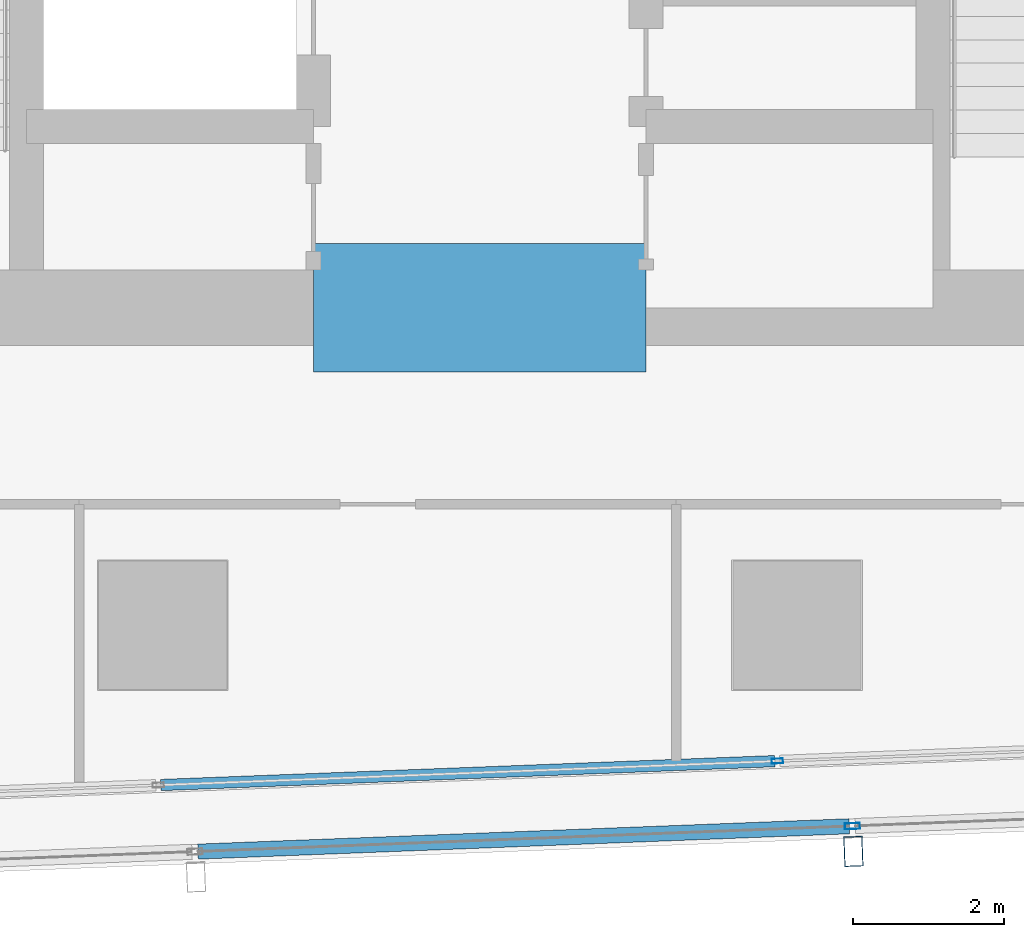
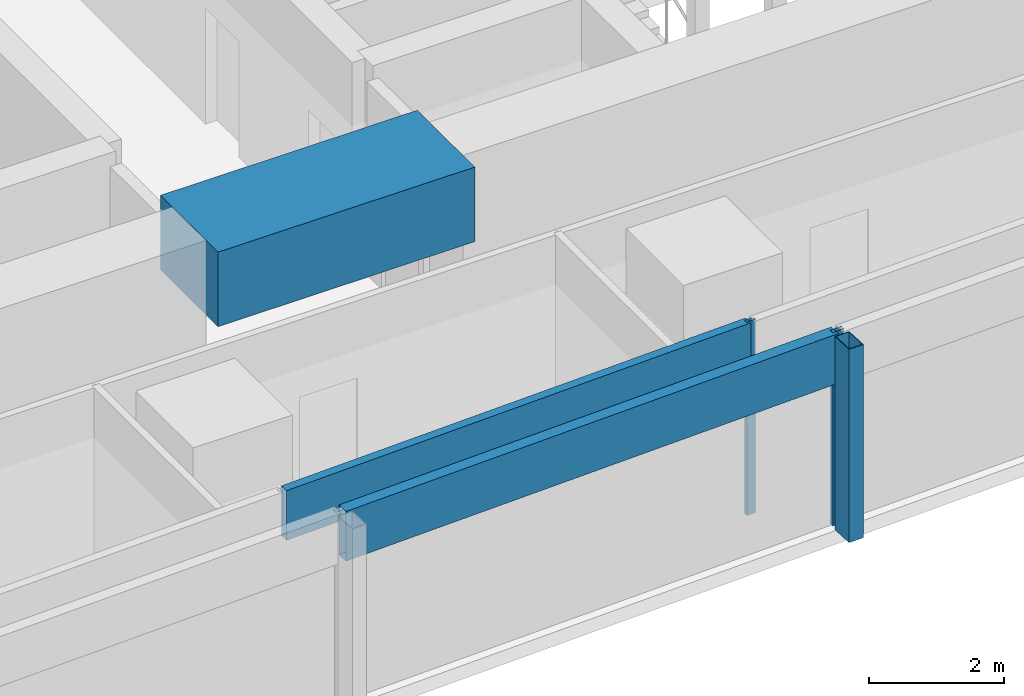
# One storey, part 9 of 40: 5 members, 1 beam, 2 elements without a shape of their own.
"""IFC4 building model written with IfcOpenShell, lengths in metres."""

from ifc_helpers import new_model, si_unit, direction, frame, origin, origin_2d, place, context, subcontext, project, spatial, rectangle, hollow_rectangle, extrude, material, material_profile, profile_set, type_object, element, aggregate, save


model = new_model("IFC4")

# Units and contexts
model_context = context("Model", 3, precision=1e-05, world=origin(), true_north=direction((0.0, 1.0)))
body_context = subcontext(model_context, "Body", "Model", "MODEL_VIEW")
ifc_project = project(units=[si_unit("LENGTHUNIT", "METRE"), si_unit("AREAUNIT", "SQUARE_METRE"), si_unit("VOLUMEUNIT", "CUBIC_METRE"), si_unit("PLANEANGLEUNIT", "RADIAN"), si_unit("MASSUNIT", "GRAM", prefix="KILO")], contexts=[model_context])

# Site, building, storey
site_placement = place(None, origin())
site = spatial("IfcSite", under=ifc_project, at=site_placement, CompositionType="ELEMENT")
building_placement = place(site_placement, origin())
building = spatial("IfcBuilding", under=site, at=building_placement, Name="Rekha Terrace Tower", CompositionType="ELEMENT")
storey_placement = place(building_placement, frame((0.0, 0.0, 129.050048828125)))
storey = spatial("IfcBuildingStorey", under=building, at=storey_placement, Name="L32", CompositionType="ELEMENT", Elevation=129.050048828125)

# Curtain wall, member
ifc_material_1 = material(Name="Aluminium framing", Category="aluminium")
curtain_wall_type_1 = type_object("IfcCurtainWallType", Name="CW2 double skin outer glazing", PredefinedType="USERDEFINED", material=ifc_material_1)
curtain_wall_1_placement = place(storey_placement, origin())
curtain_wall_1 = element("IfcCurtainWall", 1, at=curtain_wall_1_placement, inside=storey, type_object=curtain_wall_type_1, Name="CW2 double skin outer glazing", ObjectType="DOUBLE SKIN OUTER GLAZING", PredefinedType="USERDEFINED")
ifc_material_2 = material(Name="Steel S355 with fluorocarbon finish", Category="steel")
ifc_material_profile_1 = material_profile(ifc_material_2, hollow_rectangle(XDim=0.25, YDim=0.39990234375, WallThickness=0.012451171875, at=origin_2d()), Name="RHS400x250x12.5")
ifc_profile_set_1 = profile_set([ifc_material_profile_1], Name="Steel S355 with fluorocarbon finish")
member_type_1 = type_object("IfcMemberType", Name="BL1 facade blade RHS 400 x 250", PredefinedType="USERDEFINED", material=ifc_profile_set_1)
member_1_placement = place(storey_placement, frame((42.747314453125, 13.802978515625, 0.0), z_axis=(0.0, 0.0, 1.0), x_axis=(0.999243494356, 0.038890088543, 0.0)))
member_1 = element("IfcMember", 2, at=member_1_placement, type_object=member_type_1, Name="Facade blade", ObjectType="FACADE BLADE", PredefinedType="USERDEFINED", context=body_context, shape_type="SweptSolid", body=[
    extrude(hollow_rectangle(XDim=0.25, YDim=0.39990234375, WallThickness=0.012451171875, at=origin_2d()), origin(), (0.0, 0.0, 1.0), 3.5),
])

# Curtain wall, members
curtain_wall_type_2 = type_object("IfcCurtainWallType", Name="CW1 double skin inner glazing", PredefinedType="USERDEFINED", material=ifc_material_1)
curtain_wall_2_placement = place(storey_placement, origin())
curtain_wall_2 = element("IfcCurtainWall", 3, at=curtain_wall_2_placement, inside=storey, type_object=curtain_wall_type_2, Name="CW1 double skin inner glazing", ObjectType="DOUBLE SKIN INNER GLAZING", PredefinedType="USERDEFINED")
ifc_material_3 = material(Name="Aluminium mullion section", Category="aluminium")
ifc_material_profile_2 = material_profile(ifc_material_3, hollow_rectangle(XDim=0.06494140625, YDim=0.14990234375, WallThickness=0.00390625, at=origin_2d()), Name="AL RHS 65x150")
ifc_profile_set_2 = profile_set([ifc_material_profile_2], Name="Aluminium mullion section")
member_type_2 = type_object("IfcMemberType", Name="CW1 mullion RHS 65 x 150", PredefinedType="MULLION", material=ifc_profile_set_2)
member_2_placement = place(storey_placement, frame((41.740234375, 14.999755859375, 0.0), z_axis=(0.0, 0.0, 1.0), x_axis=(-0.038889971345, 0.999243498917, 0.0)))
member_2 = element("IfcMember", 4, at=member_2_placement, type_object=member_type_2, Name="CW1 mullion 3", PredefinedType="MULLION", context=body_context, shape_type="SweptSolid", body=[
    extrude(hollow_rectangle(XDim=0.06494140625, YDim=0.14990234375, WallThickness=0.00390625, at=origin_2d()), origin(), (0.0, 0.0, 1.0), 3.5),
])
ifc_material_4 = material(Name="Insulated aluminium spandrel box", Category="aluminium")
ifc_material_profile_3 = material_profile(ifc_material_4, hollow_rectangle(XDim=0.14990234375, YDim=0.89990234375, WallThickness=0.0029296875, at=origin_2d()), Name="AL SPANDREL BOX 150x900")
ifc_profile_set_3 = profile_set([ifc_material_profile_3], Name="Insulated aluminium spandrel box")
member_type_3 = type_object("IfcMemberType", Name="CW1 spandrel transom 150 x 900", PredefinedType="USERDEFINED", material=ifc_profile_set_3)
member_3_placement = place(storey_placement, frame((33.576416015625, 14.68212890625, 3.050048828125), z_axis=(0.999243790362, 0.038882482205, 0.0), x_axis=(-0.038882482205, 0.999243790362, 0.0)))
member_3 = element("IfcMember", 5, at=member_3_placement, type_object=member_type_3, Name="CW1 spandrel transom 2", ObjectType="TRANSOM", PredefinedType="USERDEFINED", context=body_context, shape_type="SweptSolid", body=[
    extrude(hollow_rectangle(XDim=0.14990234375, YDim=0.89990234375, WallThickness=0.0029296875, at=origin_2d()), origin(), (0.0, 0.0, 1.0), 8.137451171875),
])
aggregate(curtain_wall_2, [member_2, member_3])

# Member
ifc_material_profile_4 = material_profile(ifc_material_3, hollow_rectangle(XDim=0.080078125, YDim=0.199951171875, WallThickness=0.00390625, at=origin_2d()), Name="AL RHS 80x200")
ifc_profile_set_4 = profile_set([ifc_material_profile_4], Name="Aluminium mullion section")
member_type_4 = type_object("IfcMemberType", Name="CW2 mullion RHS 80 x 200", PredefinedType="MULLION", material=ifc_profile_set_4)
member_4_placement = place(storey_placement, frame((42.734130859375, 14.137939453125, 0.0), z_axis=(0.0, 0.0, 1.0), x_axis=(-0.038889971345, 0.999243498917, 0.0)))
member_4 = element("IfcMember", 6, at=member_4_placement, type_object=member_type_4, Name="CW2 mullion 3", PredefinedType="MULLION", context=body_context, shape_type="SweptSolid", body=[
    extrude(hollow_rectangle(XDim=0.080078125, YDim=0.199951171875, WallThickness=0.00390625, at=origin_2d()), origin(), (0.0, 0.0, 1.0), 3.5),
])

ifc_material_profile_5 = material_profile(ifc_material_4, hollow_rectangle(XDim=0.199951171875, YDim=0.89990234375, WallThickness=0.0029296875, at=origin_2d()), Name="AL SPANDREL BOX 200x900")
ifc_profile_set_5 = profile_set([ifc_material_profile_5], Name="Insulated aluminium spandrel box")
member_type_5 = type_object("IfcMemberType", Name="CW2 spandrel transom 200 x 900", PredefinedType="USERDEFINED", material=ifc_profile_set_5)
member_5_placement = place(storey_placement, frame((34.069091796875, 13.800537109375, 3.050048828125), z_axis=(0.999243438523, 0.038891523097, 0.0), x_axis=(-0.038891523097, 0.999243438523, 0.0)))
member_5 = element("IfcMember", 7, at=member_5_placement, type_object=member_type_5, Name="CW2 spandrel transom 2", ObjectType="TRANSOM", PredefinedType="USERDEFINED", context=body_context, shape_type="SweptSolid", body=[
    extrude(hollow_rectangle(XDim=0.199951171875, YDim=0.89990234375, WallThickness=0.0029296875, at=origin_2d()), origin(), (0.0, 0.0, 1.0), 8.631591796875),
])

aggregate(curtain_wall_1, [member_4, member_5, member_1])

# Beam
ifc_material_5 = material(Name="Concrete M70", Category="concrete")
ifc_material_profile_6 = material_profile(ifc_material_5, rectangle(XDim=1.699951171875, YDim=1.35009765625, at=origin_2d()), Name="RC 1700x1350")
ifc_profile_set_6 = profile_set([ifc_material_profile_6], Name="Concrete M70")
beam_type = type_object("IfcBeamType", Name="LB2A 1700x1350 diagonally reinforced coupling beam", PredefinedType="LINTEL", material=ifc_profile_set_6)
beam_placement = place(storey_placement, frame((35.60009765625, 21.0, 3.074951171875), z_axis=(1.0, 0.0, 0.0), x_axis=(0.0, 1.0, 0.0)))
element("IfcBeam", 8, at=beam_placement, inside=storey, type_object=beam_type, Name="Coupling beam LB2A S L32", PredefinedType="LINTEL", context=body_context, shape_type="SweptSolid", body=[
    extrude(rectangle(XDim=1.699951171875, YDim=1.35009765625, at=origin_2d()), origin(), (0.0, 0.0, 1.0), 4.39990234375),
])

save(model, "model.ifc")
